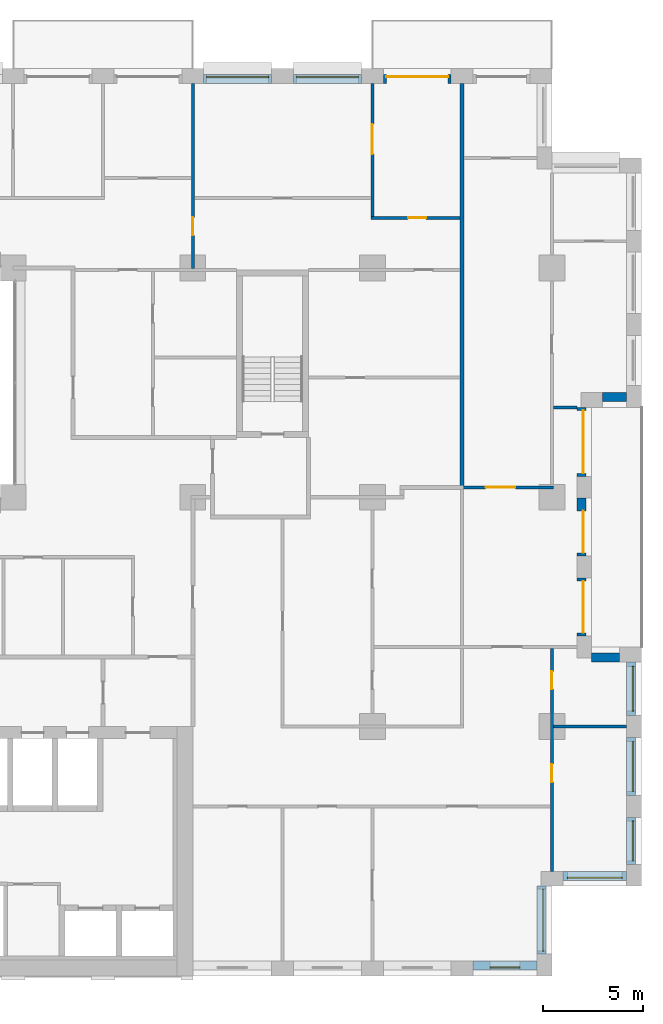
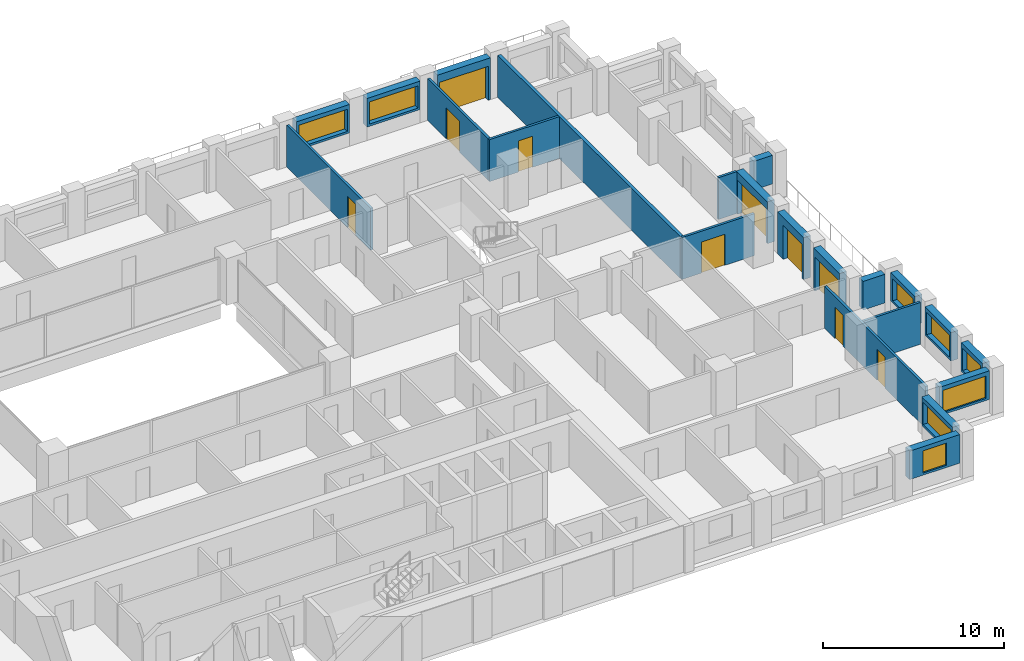
# One storey, part 14 of 16: 22 walls, 10 doors, 8 windows, 18 openings.
"""IFC4 building model written with IfcOpenShell, lengths in metres."""

from ifc_helpers import new_model, si_unit, direction, frame, frame_2d, origin, place, context, subcontext, project, spatial, rectangle, extrude, material, layer, layer_set, type_object, element, fill, save


model = new_model("IFC4")

# Units and contexts
model_context = context("Model", 3, precision=1e-05, world=origin(), true_north=direction((0.0, 1.0)))
body_context = subcontext(model_context, "Body", "Model", "MODEL_VIEW")
ifc_project = project(units=[si_unit("LENGTHUNIT", "METRE"), si_unit("AREAUNIT", "SQUARE_METRE"), si_unit("VOLUMEUNIT", "CUBIC_METRE"), si_unit("PLANEANGLEUNIT", "RADIAN"), si_unit("MASSUNIT", "GRAM", prefix="KILO")], contexts=[model_context])

# Site, building, storey
site_placement = place(None, origin())
site = spatial("IfcSite", under=ifc_project, at=site_placement, CompositionType="ELEMENT")
building_placement = place(site_placement, origin())
building = spatial("IfcBuilding", under=site, at=building_placement, Name="Brigalow Station Residences", CompositionType="ELEMENT")
storey_placement = place(building_placement, frame((0.0, 0.0, 124.5)))
storey = spatial("IfcBuildingStorey", under=building, at=storey_placement, Name="L36", CompositionType="ELEMENT", Elevation=124.5)

# Wall, opening, window
ifc_material_1 = material(Name="Clay brick masonry", Category="masonry")
ifc_layer_1 = layer(ifc_material_1, 0.449951171875)
ifc_layer_set_1 = layer_set([ifc_layer_1], Name="BRICK INFILL WALL 450")
wall_type_1 = type_object("IfcWallType", Name="BRICK INFILL WALL 450", PredefinedType="SOLIDWALL", material=ifc_layer_set_1)
wall_1_placement = place(storey_placement, frame((68.050048828125, 0.52490234375, 0.89990234375), z_axis=(0.0, 0.0, 1.0), x_axis=(1.0, 0.0, 0.0)))
wall_1 = element("IfcWall", 1, at=wall_1_placement, inside=storey, type_object=wall_type_1, Name="L36/ewall/W-L36-7", PredefinedType="SOLIDWALL", context=body_context, shape_type="SweptSolid", body=[
    extrude(rectangle(XDim=3.199951171875, YDim=0.449951171875, at=frame_2d((1.60009765625, 0.0))), origin(), (0.0, 0.0, 1.0), 1.93017578125),
])
opening_1_placement = place(wall_1_placement, frame((0.85009765625, 0.0, 0.14990234375)))
opening_1 = element("IfcOpeningElement", 2, at=opening_1_placement, cuts=wall_1, Name="Opening WT-1", PredefinedType="OPENING", context=body_context, shape_type="SweptSolid", body=[
    extrude(rectangle(XDim=1.5, YDim=1.5, at=frame_2d((0.75, 0.75))), frame((0.0, 0.23486328125, 0.0), z_axis=(0.0, -1.0, 0.0), x_axis=(1.0, 0.0, 0.0)), (0.0, 0.0, 1.0), 0.469970703125),
])
ifc_material_2 = material(Name="Anodised aluminium frame with double glazing", Category="aluminium")
window_type_1 = type_object("IfcWindowType", Name="WINDOW 1500x1500", PartitioningType="SINGLE_PANEL", PredefinedType="WINDOW", material=ifc_material_2)
window_1_placement = place(opening_1_placement, origin())
window_1 = element("IfcWindow", 3, at=window_1_placement, inside=storey, type_object=window_type_1, Name="L36/window/W-L36-7", OverallHeight=1.5, OverallWidth=1.5, PartitioningType="SINGLE_PANEL", PredefinedType="WINDOW", context=body_context, shape_type="SweptSolid", body=[
    extrude(rectangle(XDim=1.5, YDim=1.5, at=frame_2d((0.75, 0.75))), frame((0.0, -0.06494140625, 0.0), z_axis=(0.0, -1.0, 0.0), x_axis=(1.0, 0.0, 0.0)), (0.0, 0.0, 1.0), 0.06005859375),
])
fill(opening_1, window_1)

wall_2_placement = place(storey_placement, frame((71.47509765625, 1.10009765625, 0.89990234375), z_axis=(0.0, 0.0, 1.0), x_axis=(0.0, 1.0, 0.0)))
wall_2 = element("IfcWall", 4, at=wall_2_placement, inside=storey, type_object=wall_type_1, Name="L36/ewall/W-L36-8", PredefinedType="SOLIDWALL", context=body_context, shape_type="SweptSolid", body=[
    extrude(rectangle(XDim=3.39990234375, YDim=0.449951171875, at=frame_2d((1.699951171875, 0.0))), origin(), (0.0, 0.0, 1.0), 1.93017578125),
])
opening_2_placement = place(wall_2_placement, frame((0.14990234375, 0.0, 0.14990234375)))
opening_2 = element("IfcOpeningElement", 5, at=opening_2_placement, cuts=wall_2, Name="Opening WT-8", PredefinedType="OPENING", context=body_context, shape_type="SweptSolid", body=[
    extrude(rectangle(XDim=3.10009765625, YDim=1.5, at=frame_2d((1.550048828125, 0.75))), frame((0.0, 0.23486328125, 0.0), z_axis=(0.0, -1.0, 0.0), x_axis=(1.0, 0.0, 0.0)), (0.0, 0.0, 1.0), 0.469970703125),
])
ifc_material_3 = material(Name="Anodised aluminium frame with double glazing", Category="aluminium")
window_type_2 = type_object("IfcWindowType", Name="WINDOW 3100x1500", PartitioningType="SINGLE_PANEL", PredefinedType="WINDOW", material=ifc_material_3)
window_2_placement = place(opening_2_placement, origin())
window_2 = element("IfcWindow", 6, at=window_2_placement, inside=storey, type_object=window_type_2, Name="L36/window/W-L36-8", OverallHeight=1.5, OverallWidth=3.10009765625, PartitioningType="SINGLE_PANEL", PredefinedType="WINDOW", context=body_context, shape_type="SweptSolid", body=[
    extrude(rectangle(XDim=3.10009765625, YDim=1.5, at=frame_2d((1.550048828125, 0.75))), frame((0.0, -0.06494140625, 0.0), z_axis=(0.0, -1.0, 0.0), x_axis=(1.0, 0.0, 0.0)), (0.0, 0.0, 1.0), 0.06005859375),
])
fill(opening_2, window_2)

wall_3_placement = place(storey_placement, frame((72.550048828125, 5.02490234375, 0.89990234375), z_axis=(0.0, 0.0, 1.0), x_axis=(1.0, 0.0, 0.0)))
wall_3 = element("IfcWall", 7, at=wall_3_placement, inside=storey, type_object=wall_type_1, Name="L36/ewall/W-L36-9", PredefinedType="SOLIDWALL", context=body_context, shape_type="SweptSolid", body=[
    extrude(rectangle(XDim=3.199951171875, YDim=0.449951171875, at=frame_2d((1.60009765625, 0.0))), origin(), (0.0, 0.0, 1.0), 1.93017578125),
])
opening_3_placement = place(wall_3_placement, frame((0.22509765625, 0.0, 0.14990234375)))
opening_3 = element("IfcOpeningElement", 8, at=opening_3_placement, cuts=wall_3, Name="Opening WT-3", PredefinedType="OPENING", context=body_context, shape_type="SweptSolid", body=[
    extrude(rectangle(XDim=2.75, YDim=1.5, at=frame_2d((1.375, 0.75))), frame((0.0, 0.23486328125, 0.0), z_axis=(0.0, -1.0, 0.0), x_axis=(1.0, 0.0, 0.0)), (0.0, 0.0, 1.0), 0.469970703125),
])
ifc_material_4 = material(Name="Anodised aluminium frame with double glazing", Category="aluminium")
window_type_3 = type_object("IfcWindowType", Name="WINDOW 2750x1500", PartitioningType="SINGLE_PANEL", PredefinedType="WINDOW", material=ifc_material_4)
window_3_placement = place(opening_3_placement, origin())
window_3 = element("IfcWindow", 9, at=window_3_placement, inside=storey, type_object=window_type_3, Name="L36/window/W-L36-9", OverallHeight=1.5, OverallWidth=2.75, PartitioningType="SINGLE_PANEL", PredefinedType="WINDOW", context=body_context, shape_type="SweptSolid", body=[
    extrude(rectangle(XDim=2.75, YDim=1.5, at=frame_2d((1.375, 0.75))), frame((0.0, -0.06494140625, 0.0), z_axis=(0.0, -1.0, 0.0), x_axis=(1.0, 0.0, 0.0)), (0.0, 0.0, 1.0), 0.06005859375),
])
fill(opening_3, window_3)

wall_4_placement = place(storey_placement, frame((75.97509765625, 5.60009765625, 0.89990234375), z_axis=(0.0, 0.0, 1.0), x_axis=(0.0, 1.0, 0.0)))
wall_4 = element("IfcWall", 10, at=wall_4_placement, inside=storey, type_object=wall_type_1, Name="L36/ewall/W-L36-10", PredefinedType="SOLIDWALL", context=body_context, shape_type="SweptSolid", body=[
    extrude(rectangle(XDim=2.349853515625, YDim=0.449951171875, at=frame_2d((1.1748046875, 0.0))), origin(), (0.0, 0.0, 1.0), 1.93017578125),
])
opening_4_placement = place(wall_4_placement, frame((0.175048828125, 0.0, 0.14990234375)))
opening_4 = element("IfcOpeningElement", 11, at=opening_4_placement, cuts=wall_4, Name="Opening WT-7", PredefinedType="OPENING", context=body_context, shape_type="SweptSolid", body=[
    extrude(rectangle(XDim=2.0, YDim=1.5, at=frame_2d((1.0, 0.75))), frame((0.0, 0.23486328125, 0.0), z_axis=(0.0, -1.0, 0.0), x_axis=(1.0, 0.0, 0.0)), (0.0, 0.0, 1.0), 0.469970703125),
])
ifc_material_5 = material(Name="Anodised aluminium frame with double glazing", Category="aluminium")
window_type_4 = type_object("IfcWindowType", Name="WINDOW 2000x1500", PartitioningType="SINGLE_PANEL", PredefinedType="WINDOW", material=ifc_material_5)
window_4_placement = place(opening_4_placement, origin())
window_4 = element("IfcWindow", 12, at=window_4_placement, inside=storey, type_object=window_type_4, Name="L36/window/W-L36-10", OverallHeight=1.5, OverallWidth=2.0, PartitioningType="SINGLE_PANEL", PredefinedType="WINDOW", context=body_context, shape_type="SweptSolid", body=[
    extrude(rectangle(XDim=2.0, YDim=1.5, at=frame_2d((1.0, 0.75))), frame((0.0, -0.06494140625, 0.0), z_axis=(0.0, -1.0, 0.0), x_axis=(1.0, 0.0, 0.0)), (0.0, 0.0, 1.0), 0.06005859375),
])
fill(opening_4, window_4)

wall_5_placement = place(storey_placement, frame((75.97509765625, 9.050048828125, 0.89990234375), z_axis=(0.0, 0.0, 1.0), x_axis=(0.0, 1.0, 0.0)))
wall_5 = element("IfcWall", 13, at=wall_5_placement, inside=storey, type_object=wall_type_1, Name="L36/ewall/W-L36-11", PredefinedType="SOLIDWALL", context=body_context, shape_type="SweptSolid", body=[
    extrude(rectangle(XDim=2.89990234375, YDim=0.449951171875, at=frame_2d((1.449951171875, 0.0))), origin(), (0.0, 0.0, 1.0), 1.93017578125),
])
opening_5_placement = place(wall_5_placement, frame((0.199951171875, 0.0, 0.14990234375)))
opening_5 = element("IfcOpeningElement", 14, at=opening_5_placement, cuts=wall_5, Name="Opening WT-5", PredefinedType="OPENING", context=body_context, shape_type="SweptSolid", body=[
    extrude(rectangle(XDim=2.5, YDim=1.5, at=frame_2d((1.25, 0.75))), frame((0.0, 0.23486328125, 0.0), z_axis=(0.0, -1.0, 0.0), x_axis=(1.0, 0.0, 0.0)), (0.0, 0.0, 1.0), 0.469970703125),
])
ifc_material_6 = material(Name="Anodised aluminium frame with double glazing", Category="aluminium")
window_type_5 = type_object("IfcWindowType", Name="WINDOW 2500x1500", PartitioningType="SINGLE_PANEL", PredefinedType="WINDOW", material=ifc_material_6)
window_5_placement = place(opening_5_placement, origin())
window_5 = element("IfcWindow", 15, at=window_5_placement, inside=storey, type_object=window_type_5, Name="L36/window/W-L36-11", OverallHeight=1.5, OverallWidth=2.5, PartitioningType="SINGLE_PANEL", PredefinedType="WINDOW", context=body_context, shape_type="SweptSolid", body=[
    extrude(rectangle(XDim=2.5, YDim=1.5, at=frame_2d((1.25, 0.75))), frame((0.0, -0.06494140625, 0.0), z_axis=(0.0, -1.0, 0.0), x_axis=(1.0, 0.0, 0.0)), (0.0, 0.0, 1.0), 0.06005859375),
])
fill(opening_5, window_5)

wall_6_placement = place(storey_placement, frame((75.97509765625, 13.050048828125, 0.89990234375), z_axis=(0.0, 0.0, 1.0), x_axis=(0.0, 1.0, 0.0)))
wall_6 = element("IfcWall", 16, at=wall_6_placement, inside=storey, type_object=wall_type_1, Name="L36/ewall/W-L36-12", PredefinedType="SOLIDWALL", context=body_context, shape_type="SweptSolid", body=[
    extrude(rectangle(XDim=2.699951171875, YDim=0.449951171875, at=frame_2d((1.35009765625, 0.0))), origin(), (0.0, 0.0, 1.0), 1.93017578125),
])
opening_6_placement = place(wall_6_placement, frame((0.22509765625, 0.0, 0.14990234375)))
opening_6 = element("IfcOpeningElement", 17, at=opening_6_placement, cuts=wall_6, Name="Opening WT-6", PredefinedType="OPENING", context=body_context, shape_type="SweptSolid", body=[
    extrude(rectangle(XDim=2.25, YDim=1.5, at=frame_2d((1.125, 0.75))), frame((0.0, 0.23486328125, 0.0), z_axis=(0.0, -1.0, 0.0), x_axis=(1.0, 0.0, 0.0)), (0.0, 0.0, 1.0), 0.469970703125),
])
ifc_material_7 = material(Name="Anodised aluminium frame with double glazing", Category="aluminium")
window_type_6 = type_object("IfcWindowType", Name="WINDOW 2250x1500", PartitioningType="SINGLE_PANEL", PredefinedType="WINDOW", material=ifc_material_7)
window_6_placement = place(opening_6_placement, origin())
window_6 = element("IfcWindow", 18, at=window_6_placement, inside=storey, type_object=window_type_6, Name="L36/window/W-L36-12", OverallHeight=1.5, OverallWidth=2.25, PartitioningType="SINGLE_PANEL", PredefinedType="WINDOW", context=body_context, shape_type="SweptSolid", body=[
    extrude(rectangle(XDim=2.25, YDim=1.5, at=frame_2d((1.125, 0.75))), frame((0.0, -0.06494140625, 0.0), z_axis=(0.0, -1.0, 0.0), x_axis=(1.0, 0.0, 0.0)), (0.0, 0.0, 1.0), 0.06005859375),
])
fill(opening_6, window_6)

# Wall
wall_7_placement = place(storey_placement, frame((75.39990234375, 15.97509765625, 0.89990234375), z_axis=(0.0, 0.0, 1.0), x_axis=(-1.0, 0.0, 0.0)))
element("IfcWall", 19, at=wall_7_placement, inside=storey, type_object=wall_type_1, Name="L36/ewall/W-L36-13", PredefinedType="SOLIDWALL", context=body_context, shape_type="SweptSolid", body=[
    extrude(rectangle(XDim=1.39990234375, YDim=0.449951171875, at=frame_2d((0.699951171875, 0.0))), origin(), (0.0, 0.0, 1.0), 1.93017578125),
])

# Wall, opening, door
wall_8_placement = place(storey_placement, frame((73.47509765625, 17.050048828125, 0.0), z_axis=(0.0, 0.0, 1.0), x_axis=(0.0, 1.0, 0.0)))
wall_8 = element("IfcWall", 20, at=wall_8_placement, inside=storey, type_object=wall_type_1, Name="L36/ewall/W-L36-14", PredefinedType="SOLIDWALL", context=body_context, shape_type="SweptSolid", body=[
    extrude(rectangle(XDim=2.89990234375, YDim=0.449951171875, at=frame_2d((1.449951171875, 0.0))), origin(), (0.0, 0.0, 1.0), 2.830078125),
])
opening_7_placement = place(wall_8_placement, frame((0.14990234375, 0.0, 0.0)))
opening_7 = element("IfcOpeningElement", 21, at=opening_7_placement, cuts=wall_8, Name="Opening D-B2600", PredefinedType="OPENING", context=body_context, shape_type="SweptSolid", body=[
    extrude(rectangle(XDim=2.60009765625, YDim=2.300048828125, at=frame_2d((1.300048828125, 1.14990234375))), frame((0.0, 0.23486328125, 0.0), z_axis=(0.0, -1.0, 0.0), x_axis=(1.0, 0.0, 0.0)), (0.0, 0.0, 1.0), 0.469970703125),
])
ifc_material_8 = material(Name="Anodised aluminium frame with double glazing", Category="aluminium")
door_type_1 = type_object("IfcDoorType", Name="BALCONY SLIDING DOOR 2600x2300", OperationType="SLIDING_TO_LEFT", PredefinedType="DOOR", material=ifc_material_8)
door_1_placement = place(opening_7_placement, origin())
door_1 = element("IfcDoor", 22, at=door_1_placement, inside=storey, type_object=door_type_1, Name="L36/balcony-door/W-L36-14", OperationType="SLIDING_TO_LEFT", OverallHeight=2.300048828125, OverallWidth=2.60009765625, PredefinedType="DOOR", context=body_context, shape_type="SweptSolid", body=[
    extrude(rectangle(XDim=2.60009765625, YDim=2.300048828125, at=frame_2d((1.300048828125, 1.14990234375))), frame((0.0, -0.06982421875, 0.0), z_axis=(0.0, -1.0, 0.0), x_axis=(1.0, 0.0, 0.0)), (0.0, 0.0, 1.0), 0.050048828125),
])
fill(opening_7, door_1)

wall_9_placement = place(storey_placement, frame((73.47509765625, 21.050048828125, 0.0), z_axis=(0.0, 0.0, 1.0), x_axis=(0.0, 1.0, 0.0)))
wall_9 = element("IfcWall", 23, at=wall_9_placement, inside=storey, type_object=wall_type_1, Name="L36/ewall/W-L36-15", PredefinedType="SOLIDWALL", context=body_context, shape_type="SweptSolid", body=[
    extrude(rectangle(XDim=2.89990234375, YDim=0.449951171875, at=frame_2d((1.449951171875, 0.0))), origin(), (0.0, 0.0, 1.0), 2.830078125),
])
opening_8_placement = place(wall_9_placement, frame((0.1650390625, 0.0, 0.0)))
opening_8 = element("IfcOpeningElement", 24, at=opening_8_placement, cuts=wall_9, Name="Opening D-B2100", PredefinedType="OPENING", context=body_context, shape_type="SweptSolid", body=[
    extrude(rectangle(XDim=2.10009765625, YDim=2.300048828125, at=frame_2d((1.050048828125, 1.14990234375))), frame((0.0, 0.23486328125, 0.0), z_axis=(0.0, -1.0, 0.0), x_axis=(1.0, 0.0, 0.0)), (0.0, 0.0, 1.0), 0.469970703125),
])
ifc_material_9 = material(Name="Anodised aluminium frame with double glazing", Category="aluminium")
door_type_2 = type_object("IfcDoorType", Name="BALCONY SLIDING DOOR 2100x2300", OperationType="SLIDING_TO_LEFT", PredefinedType="DOOR", material=ifc_material_9)
door_2_placement = place(opening_8_placement, origin())
door_2 = element("IfcDoor", 25, at=door_2_placement, inside=storey, type_object=door_type_2, Name="L36/balcony-door/W-L36-15", OperationType="SLIDING_TO_LEFT", OverallHeight=2.300048828125, OverallWidth=2.10009765625, PredefinedType="DOOR", context=body_context, shape_type="SweptSolid", body=[
    extrude(rectangle(XDim=2.10009765625, YDim=2.300048828125, at=frame_2d((1.050048828125, 1.14990234375))), frame((0.0, -0.06982421875, 0.0), z_axis=(0.0, -1.0, 0.0), x_axis=(1.0, 0.0, 0.0)), (0.0, 0.0, 1.0), 0.050048828125),
])
fill(opening_8, door_2)

wall_10_placement = place(storey_placement, frame((73.47509765625, 25.050048828125, 0.0), z_axis=(0.0, 0.0, 1.0), x_axis=(0.0, 1.0, 0.0)))
wall_10 = element("IfcWall", 26, at=wall_10_placement, inside=storey, type_object=wall_type_1, Name="L36/ewall/W-L36-16", PredefinedType="SOLIDWALL", context=body_context, shape_type="SweptSolid", body=[
    extrude(rectangle(XDim=3.449951171875, YDim=0.449951171875, at=frame_2d((1.72509765625, 0.0))), origin(), (0.0, 0.0, 1.0), 2.830078125),
])
opening_9_placement = place(wall_10_placement, frame((0.14990234375, 0.0, 0.0)))
opening_9 = element("IfcOpeningElement", 27, at=opening_9_placement, cuts=wall_10, Name="Opening D-B3150", PredefinedType="OPENING", context=body_context, shape_type="SweptSolid", body=[
    extrude(rectangle(XDim=3.14990234375, YDim=2.300048828125, at=frame_2d((1.574951171875, 1.14990234375))), frame((0.0, 0.23486328125, 0.0), z_axis=(0.0, -1.0, 0.0), x_axis=(1.0, 0.0, 0.0)), (0.0, 0.0, 1.0), 0.469970703125),
])
ifc_material_10 = material(Name="Anodised aluminium frame with double glazing", Category="aluminium")
door_type_3 = type_object("IfcDoorType", Name="BALCONY SLIDING DOOR 3150x2300", OperationType="SLIDING_TO_LEFT", PredefinedType="DOOR", material=ifc_material_10)
door_3_placement = place(opening_9_placement, origin())
door_3 = element("IfcDoor", 28, at=door_3_placement, inside=storey, type_object=door_type_3, Name="L36/balcony-door/W-L36-16", OperationType="SLIDING_TO_LEFT", OverallHeight=2.300048828125, OverallWidth=3.14990234375, PredefinedType="DOOR", context=body_context, shape_type="SweptSolid", body=[
    extrude(rectangle(XDim=3.14990234375, YDim=2.300048828125, at=frame_2d((1.574951171875, 1.14990234375))), frame((0.0, -0.06982421875, 0.0), z_axis=(0.0, -1.0, 0.0), x_axis=(1.0, 0.0, 0.0)), (0.0, 0.0, 1.0), 0.050048828125),
])
fill(opening_9, door_3)

# Wall
wall_11_placement = place(storey_placement, frame((74.550048828125, 29.02490234375, 0.89990234375), z_axis=(0.0, 0.0, 1.0), x_axis=(1.0, 0.0, 0.0)))
element("IfcWall", 29, at=wall_11_placement, inside=storey, type_object=wall_type_1, Name="L36/ewall/W-L36-17", PredefinedType="SOLIDWALL", context=body_context, shape_type="SweptSolid", body=[
    extrude(rectangle(XDim=1.199951171875, YDim=0.449951171875, at=frame_2d((0.60009765625, 0.0))), origin(), (0.0, 0.0, 1.0), 1.93017578125),
])

# Wall, opening, door
wall_12_placement = place(storey_placement, frame((66.949951171875, 44.97509765625, 0.0), z_axis=(0.0, 0.0, 1.0), x_axis=(-1.0, 0.0, 0.0)))
wall_12 = element("IfcWall", 30, at=wall_12_placement, inside=storey, type_object=wall_type_1, Name="L36/ewall/W-L36-24", PredefinedType="SOLIDWALL", context=body_context, shape_type="SweptSolid", body=[
    extrude(rectangle(XDim=3.39990234375, YDim=0.449951171875, at=frame_2d((1.699951171875, 0.0))), origin(), (0.0, 0.0, 1.0), 2.830078125),
])
opening_10_placement = place(wall_12_placement, frame((0.14990234375, 0.0, 0.0)))
opening_10 = element("IfcOpeningElement", 31, at=opening_10_placement, cuts=wall_12, Name="Opening D-B3100", PredefinedType="OPENING", context=body_context, shape_type="SweptSolid", body=[
    extrude(rectangle(XDim=3.10009765625, YDim=2.300048828125, at=frame_2d((1.550048828125, 1.14990234375))), frame((0.0, 0.23486328125, 0.0), z_axis=(0.0, -1.0, 0.0), x_axis=(1.0, 0.0, 0.0)), (0.0, 0.0, 1.0), 0.469970703125),
])
ifc_material_11 = material(Name="Anodised aluminium frame with double glazing", Category="aluminium")
door_type_4 = type_object("IfcDoorType", Name="BALCONY SLIDING DOOR 3100x2300", OperationType="SLIDING_TO_LEFT", PredefinedType="DOOR", material=ifc_material_11)
door_4_placement = place(opening_10_placement, origin())
door_4 = element("IfcDoor", 32, at=door_4_placement, inside=storey, type_object=door_type_4, Name="L36/balcony-door/W-L36-24", OperationType="SLIDING_TO_LEFT", OverallHeight=2.300048828125, OverallWidth=3.10009765625, PredefinedType="DOOR", context=body_context, shape_type="SweptSolid", body=[
    extrude(rectangle(XDim=3.10009765625, YDim=2.300048828125, at=frame_2d((1.550048828125, 1.14990234375))), frame((0.0, -0.06982421875, 0.0), z_axis=(0.0, -1.0, 0.0), x_axis=(1.0, 0.0, 0.0)), (0.0, 0.0, 1.0), 0.050048828125),
])
fill(opening_10, door_4)

# Wall, opening, window
wall_13_placement = place(storey_placement, frame((62.449951171875, 44.97509765625, 0.89990234375), z_axis=(0.0, 0.0, 1.0), x_axis=(-1.0, 0.0, 0.0)))
wall_13 = element("IfcWall", 33, at=wall_13_placement, inside=storey, type_object=wall_type_1, Name="L36/ewall/W-L36-25", PredefinedType="SOLIDWALL", context=body_context, shape_type="SweptSolid", body=[
    extrude(rectangle(XDim=3.39990234375, YDim=0.449951171875, at=frame_2d((1.699951171875, 0.0))), origin(), (0.0, 0.0, 1.0), 1.93017578125),
])
opening_11_placement = place(wall_13_placement, frame((0.14990234375, 0.0, 0.14990234375)))
opening_11 = element("IfcOpeningElement", 34, at=opening_11_placement, cuts=wall_13, Name="Opening WT-8", PredefinedType="OPENING", context=body_context, shape_type="SweptSolid", body=[
    extrude(rectangle(XDim=3.10009765625, YDim=1.5, at=frame_2d((1.550048828125, 0.75))), frame((0.0, 0.23486328125, 0.0), z_axis=(0.0, -1.0, 0.0), x_axis=(1.0, 0.0, 0.0)), (0.0, 0.0, 1.0), 0.469970703125),
])
window_7_placement = place(opening_11_placement, origin())
window_7 = element("IfcWindow", 35, at=window_7_placement, inside=storey, type_object=window_type_2, Name="L36/window/W-L36-25", OverallHeight=1.5, OverallWidth=3.10009765625, PartitioningType="SINGLE_PANEL", PredefinedType="WINDOW", context=body_context, shape_type="SweptSolid", body=[
    extrude(rectangle(XDim=3.10009765625, YDim=1.5, at=frame_2d((1.550048828125, 0.75))), frame((0.0, -0.06494140625, 0.0), z_axis=(0.0, -1.0, 0.0), x_axis=(1.0, 0.0, 0.0)), (0.0, 0.0, 1.0), 0.06005859375),
])
fill(opening_11, window_7)

wall_14_placement = place(storey_placement, frame((57.949951171875, 44.97509765625, 0.89990234375), z_axis=(0.0, 0.0, 1.0), x_axis=(-1.0, 0.0, 0.0)))
wall_14 = element("IfcWall", 36, at=wall_14_placement, inside=storey, type_object=wall_type_1, Name="L36/ewall/W-L36-26", PredefinedType="SOLIDWALL", context=body_context, shape_type="SweptSolid", body=[
    extrude(rectangle(XDim=3.39990234375, YDim=0.449951171875, at=frame_2d((1.699951171875, 0.0))), origin(), (0.0, 0.0, 1.0), 1.93017578125),
])
opening_12_placement = place(wall_14_placement, frame((0.14990234375, 0.0, 0.14990234375)))
opening_12 = element("IfcOpeningElement", 37, at=opening_12_placement, cuts=wall_14, Name="Opening WT-8", PredefinedType="OPENING", context=body_context, shape_type="SweptSolid", body=[
    extrude(rectangle(XDim=3.10009765625, YDim=1.5, at=frame_2d((1.550048828125, 0.75))), frame((0.0, 0.23486328125, 0.0), z_axis=(0.0, -1.0, 0.0), x_axis=(1.0, 0.0, 0.0)), (0.0, 0.0, 1.0), 0.469970703125),
])
window_8_placement = place(opening_12_placement, origin())
window_8 = element("IfcWindow", 38, at=window_8_placement, inside=storey, type_object=window_type_2, Name="L36/window/W-L36-26", OverallHeight=1.5, OverallWidth=3.10009765625, PartitioningType="SINGLE_PANEL", PredefinedType="WINDOW", context=body_context, shape_type="SweptSolid", body=[
    extrude(rectangle(XDim=3.10009765625, YDim=1.5, at=frame_2d((1.550048828125, 0.75))), frame((0.0, -0.06494140625, 0.0), z_axis=(0.0, -1.0, 0.0), x_axis=(1.0, 0.0, 0.0)), (0.0, 0.0, 1.0), 0.06005859375),
])
fill(opening_12, window_8)

# Wall
ifc_material_12 = material(Name="Plasterboard on steel stud partition", Category="steel")
ifc_layer_2 = layer(ifc_material_12, 0.14990234375)
ifc_layer_set_2 = layer_set([ifc_layer_2], Name="FLAT PARTITION 150")
wall_type_2 = type_object("IfcWallType", Name="FLAT PARTITION 150", PredefinedType="PARTITIONING", material=ifc_layer_set_2)
wall_15_placement = place(storey_placement, frame((72.074951171875, 12.5, 0.0), z_axis=(0.0, 0.0, 1.0), x_axis=(1.0, 0.0, 0.0)))
element("IfcWall", 39, at=wall_15_placement, inside=storey, type_object=wall_type_2, Name="PW-2F12", PredefinedType="PARTITIONING", context=body_context, shape_type="SweptSolid", body=[
    extrude(rectangle(XDim=3.675048828125, YDim=0.14990234375, at=frame_2d((1.83740234375, 0.0))), origin(), (0.0, 0.0, 1.0), 2.830078125),
])

# Wall, opening, door
wall_16_placement = place(storey_placement, frame((67.425048828125, 24.5, 0.0), z_axis=(0.0, 0.0, 1.0), x_axis=(1.0, 0.0, 0.0)))
wall_16 = element("IfcWall", 40, at=wall_16_placement, inside=storey, type_object=wall_type_2, Name="PW-2F18", PredefinedType="PARTITIONING", context=body_context, shape_type="SweptSolid", body=[
    extrude(rectangle(XDim=4.64990234375, YDim=0.14990234375, at=frame_2d((2.324951171875, 0.0))), origin(), (0.0, 0.0, 1.0), 2.830078125),
])
opening_13_placement = place(wall_16_placement, frame((1.25, 0.0, 0.0)))
opening_13 = element("IfcOpeningElement", 41, at=opening_13_placement, cuts=wall_16, Name="Opening D-2F46", PredefinedType="OPENING", context=body_context, shape_type="SweptSolid", body=[
    extrude(rectangle(XDim=1.5, YDim=2.10009765625, at=frame_2d((0.75, 1.050048828125))), frame((0.0, 0.0849609375, 0.0), z_axis=(0.0, -1.0, 0.0), x_axis=(1.0, 0.0, 0.0)), (0.0, 0.0, 1.0), 0.169921875),
])
ifc_material_13 = material(Name="Solid-core timber door leaf", Category="wood")
door_type_5 = type_object("IfcDoorType", Name="INTERNAL DOUBLE DOOR 1500 x 2100", OperationType="DOUBLE_DOOR_SINGLE_SWING", PredefinedType="DOOR", material=ifc_material_13)
door_5_placement = place(opening_13_placement, frame((1.5, 0.0, 0.0), z_axis=(0.0, 0.0, 1.0), x_axis=(-1.0, 0.0, 0.0)))
door_5 = element("IfcDoor", 42, at=door_5_placement, inside=storey, type_object=door_type_5, Name="D-2F46", OperationType="DOUBLE_DOOR_SINGLE_SWING", OverallHeight=2.10009765625, OverallWidth=1.5, PredefinedType="DOOR", context=body_context, shape_type="SweptSolid", body=[
    extrude(rectangle(XDim=1.5, YDim=2.10009765625, at=frame_2d((0.75, 1.050048828125))), frame((0.0, 0.02490234375, 0.0), z_axis=(0.0, -1.0, 0.0), x_axis=(1.0, 0.0, 0.0)), (0.0, 0.0, 1.0), 0.050048828125),
])
fill(opening_13, door_5)

# Wall
wall_17_placement = place(storey_placement, frame((72.074951171875, 28.5, 0.0), z_axis=(0.0, 0.0, 1.0), x_axis=(1.0, 0.0, 0.0)))
element("IfcWall", 43, at=wall_17_placement, inside=storey, type_object=wall_type_2, Name="PW-2F21", PredefinedType="PARTITIONING", context=body_context, shape_type="SweptSolid", body=[
    extrude(rectangle(XDim=1.175048828125, YDim=0.14990234375, at=frame_2d((0.58740234375, 0.0))), origin(), (0.0, 0.0, 1.0), 2.830078125),
])

# Wall, opening, door
wall_18_placement = place(storey_placement, frame((62.925048828125, 38.0, 0.0), z_axis=(0.0, 0.0, 1.0), x_axis=(1.0, 0.0, 0.0)))
wall_18 = element("IfcWall", 44, at=wall_18_placement, inside=storey, type_object=wall_type_2, Name="PW-2F36", PredefinedType="PARTITIONING", context=body_context, shape_type="SweptSolid", body=[
    extrude(rectangle(XDim=4.474853515625, YDim=0.14990234375, at=frame_2d((2.2373046875, 0.0))), origin(), (0.0, 0.0, 1.0), 2.830078125),
])
opening_14_placement = place(wall_18_placement, frame((1.875, 0.0, 0.0)))
opening_14 = element("IfcOpeningElement", 45, at=opening_14_placement, cuts=wall_18, Name="Opening D-2F31", PredefinedType="OPENING", context=body_context, shape_type="SweptSolid", body=[
    extrude(rectangle(XDim=0.89990234375, YDim=2.10009765625, at=frame_2d((0.449951171875, 1.050048828125))), frame((0.0, 0.0849609375, 0.0), z_axis=(0.0, -1.0, 0.0), x_axis=(1.0, 0.0, 0.0)), (0.0, 0.0, 1.0), 0.169921875),
])
ifc_material_14 = material(Name="Solid-core timber door leaf", Category="wood")
door_type_6 = type_object("IfcDoorType", Name="INTERNAL DOOR 900 x 2100", OperationType="SINGLE_SWING_LEFT", PredefinedType="DOOR", material=ifc_material_14)
door_6_placement = place(opening_14_placement, origin())
door_6 = element("IfcDoor", 46, at=door_6_placement, inside=storey, type_object=door_type_6, Name="D-2F31", OperationType="SINGLE_SWING_RIGHT", OverallHeight=2.10009765625, OverallWidth=0.89990234375, PredefinedType="DOOR", context=body_context, shape_type="SweptSolid", body=[
    extrude(rectangle(XDim=0.89990234375, YDim=2.10009765625, at=frame_2d((0.449951171875, 1.050048828125))), frame((0.0, 0.02490234375, 0.0), z_axis=(0.0, -1.0, 0.0), x_axis=(1.0, 0.0, 0.0)), (0.0, 0.0, 1.0), 0.050048828125),
])
fill(opening_14, door_6)

wall_19_placement = place(storey_placement, frame((54.0, 35.47509765625, 0.0), z_axis=(0.0, 0.0, 1.0), x_axis=(0.0, 1.0, 0.0)))
wall_19 = element("IfcWall", 47, at=wall_19_placement, inside=storey, type_object=wall_type_2, Name="PW-2F41", PredefinedType="PARTITIONING", context=body_context, shape_type="SweptSolid", body=[
    extrude(rectangle(XDim=9.27490234375, YDim=0.14990234375, at=frame_2d((4.637451171875, 0.0))), origin(), (0.0, 0.0, 1.0), 2.830078125),
])
opening_15_placement = place(wall_19_placement, frame((1.64990234375, 0.0, 0.0)))
opening_15 = element("IfcOpeningElement", 48, at=opening_15_placement, cuts=wall_19, Name="Opening D-2F29", PredefinedType="OPENING", context=body_context, shape_type="SweptSolid", body=[
    extrude(rectangle(XDim=0.89990234375, YDim=2.10009765625, at=frame_2d((0.449951171875, 1.050048828125))), frame((0.0, 0.0849609375, 0.0), z_axis=(0.0, -1.0, 0.0), x_axis=(1.0, 0.0, 0.0)), (0.0, 0.0, 1.0), 0.169921875),
])
door_7_placement = place(opening_15_placement, frame((0.89990234375, 0.0, 0.0), z_axis=(0.0, 0.0, 1.0), x_axis=(-1.0, 0.0, 0.0)))
door_7 = element("IfcDoor", 49, at=door_7_placement, inside=storey, type_object=door_type_6, Name="D-2F29", OperationType="SINGLE_SWING_LEFT", OverallHeight=2.10009765625, OverallWidth=0.89990234375, PredefinedType="DOOR", context=body_context, shape_type="SweptSolid", body=[
    extrude(rectangle(XDim=0.89990234375, YDim=2.10009765625, at=frame_2d((0.449951171875, 1.050048828125))), frame((0.0, 0.02490234375, 0.0), z_axis=(0.0, -1.0, 0.0), x_axis=(1.0, 0.0, 0.0)), (0.0, 0.0, 1.0), 0.050048828125),
])
fill(opening_15, door_7)

wall_20_placement = place(storey_placement, frame((63.0, 38.074951171875, 0.0), z_axis=(0.0, 0.0, 1.0), x_axis=(0.0, 1.0, 0.0)))
wall_20 = element("IfcWall", 50, at=wall_20_placement, inside=storey, type_object=wall_type_2, Name="PW-2F63", PredefinedType="PARTITIONING", context=body_context, shape_type="SweptSolid", body=[
    extrude(rectangle(XDim=6.675048828125, YDim=0.14990234375, at=frame_2d((3.33740234375, 0.0))), origin(), (0.0, 0.0, 1.0), 2.830078125),
])
opening_16_placement = place(wall_20_placement, frame((3.125, 0.0, 0.0)))
opening_16 = element("IfcOpeningElement", 51, at=opening_16_placement, cuts=wall_20, Name="Opening D-2F32", PredefinedType="OPENING", context=body_context, shape_type="SweptSolid", body=[
    extrude(rectangle(XDim=1.5, YDim=2.10009765625, at=frame_2d((0.75, 1.050048828125))), frame((0.0, 0.0849609375, 0.0), z_axis=(0.0, -1.0, 0.0), x_axis=(1.0, 0.0, 0.0)), (0.0, 0.0, 1.0), 0.169921875),
])
door_8_placement = place(opening_16_placement, frame((1.5, 0.0, 0.0), z_axis=(0.0, 0.0, 1.0), x_axis=(-1.0, 0.0, 0.0)))
door_8 = element("IfcDoor", 52, at=door_8_placement, inside=storey, type_object=door_type_5, Name="D-2F32", OperationType="DOUBLE_DOOR_SINGLE_SWING", OverallHeight=2.10009765625, OverallWidth=1.5, PredefinedType="DOOR", context=body_context, shape_type="SweptSolid", body=[
    extrude(rectangle(XDim=1.5, YDim=2.10009765625, at=frame_2d((0.75, 1.050048828125))), frame((0.0, 0.02490234375, 0.0), z_axis=(0.0, -1.0, 0.0), x_axis=(1.0, 0.0, 0.0)), (0.0, 0.0, 1.0), 0.050048828125),
])
fill(opening_16, door_8)

# Wall, openings, doors
wall_21_placement = place(storey_placement, frame((72.0, 5.25, 0.0), z_axis=(0.0, 0.0, 1.0), x_axis=(0.0, 1.0, 0.0)))
wall_21 = element("IfcWall", 53, at=wall_21_placement, inside=storey, type_object=wall_type_2, Name="PW-2F70", PredefinedType="PARTITIONING", context=body_context, shape_type="SweptSolid", body=[
    extrude(rectangle(XDim=11.175048828125, YDim=0.14990234375, at=frame_2d((5.58740234375, 0.0))), origin(), (0.0, 0.0, 1.0), 2.830078125),
])
opening_17_placement = place(wall_21_placement, frame((4.47509765625, 0.0, 0.0)))
opening_17 = element("IfcOpeningElement", 54, at=opening_17_placement, cuts=wall_21, Name="Opening D-2F40", PredefinedType="OPENING", context=body_context, shape_type="SweptSolid", body=[
    extrude(rectangle(XDim=0.89990234375, YDim=2.10009765625, at=frame_2d((0.449951171875, 1.050048828125))), frame((0.0, 0.0849609375, 0.0), z_axis=(0.0, -1.0, 0.0), x_axis=(1.0, 0.0, 0.0)), (0.0, 0.0, 1.0), 0.169921875),
])
opening_18_placement = place(wall_21_placement, frame((9.125, 0.0, 0.0)))
opening_18 = element("IfcOpeningElement", 55, at=opening_18_placement, cuts=wall_21, Name="Opening D-2F44", PredefinedType="OPENING", context=body_context, shape_type="SweptSolid", body=[
    extrude(rectangle(XDim=0.89990234375, YDim=2.10009765625, at=frame_2d((0.449951171875, 1.050048828125))), frame((0.0, 0.0849609375, 0.0), z_axis=(0.0, -1.0, 0.0), x_axis=(1.0, 0.0, 0.0)), (0.0, 0.0, 1.0), 0.169921875),
])
door_9_placement = place(opening_17_placement, frame((0.89990234375, 0.0, 0.0), z_axis=(0.0, 0.0, 1.0), x_axis=(-1.0, 0.0, 0.0)))
door_9 = element("IfcDoor", 56, at=door_9_placement, inside=storey, type_object=door_type_6, Name="D-2F40", OperationType="SINGLE_SWING_LEFT", OverallHeight=2.10009765625, OverallWidth=0.89990234375, PredefinedType="DOOR", context=body_context, shape_type="SweptSolid", body=[
    extrude(rectangle(XDim=0.89990234375, YDim=2.10009765625, at=frame_2d((0.449951171875, 1.050048828125))), frame((0.0, 0.02490234375, 0.0), z_axis=(0.0, -1.0, 0.0), x_axis=(1.0, 0.0, 0.0)), (0.0, 0.0, 1.0), 0.050048828125),
])
fill(opening_17, door_9)
door_10_placement = place(opening_18_placement, frame((0.89990234375, 0.0, 0.0), z_axis=(0.0, 0.0, 1.0), x_axis=(-1.0, 0.0, 0.0)))
door_10 = element("IfcDoor", 57, at=door_10_placement, inside=storey, type_object=door_type_6, Name="D-2F44", OperationType="SINGLE_SWING_LEFT", OverallHeight=2.10009765625, OverallWidth=0.89990234375, PredefinedType="DOOR", context=body_context, shape_type="SweptSolid", body=[
    extrude(rectangle(XDim=0.89990234375, YDim=2.10009765625, at=frame_2d((0.449951171875, 1.050048828125))), frame((0.0, 0.02490234375, 0.0), z_axis=(0.0, -1.0, 0.0), x_axis=(1.0, 0.0, 0.0)), (0.0, 0.0, 1.0), 0.050048828125),
])
fill(opening_18, door_10)

# Wall
ifc_material_15 = material(Name="Plasterboard on steel stud partition", Category="steel")
ifc_layer_3 = layer(ifc_material_15, 0.199951171875)
ifc_layer_set_3 = layer_set([ifc_layer_3], Name="PARTY AND CORRIDOR WALL 200")
wall_type_3 = type_object("IfcWallType", Name="PARTY AND CORRIDOR WALL 200", PredefinedType="PARTITIONING", material=ifc_layer_set_3)
wall_22_placement = place(storey_placement, frame((67.5, 24.574951171875, 0.0), z_axis=(0.0, 0.0, 1.0), x_axis=(0.0, 1.0, 0.0)))
element("IfcWall", 58, at=wall_22_placement, inside=storey, type_object=wall_type_3, Name="PW-2F66", PredefinedType="PARTITIONING", context=body_context, shape_type="SweptSolid", body=[
    extrude(rectangle(XDim=20.175048828125, YDim=0.199951171875, at=frame_2d((10.08740234375, 0.0))), origin(), (0.0, 0.0, 1.0), 2.830078125),
])

save(model, "model.ifc")
